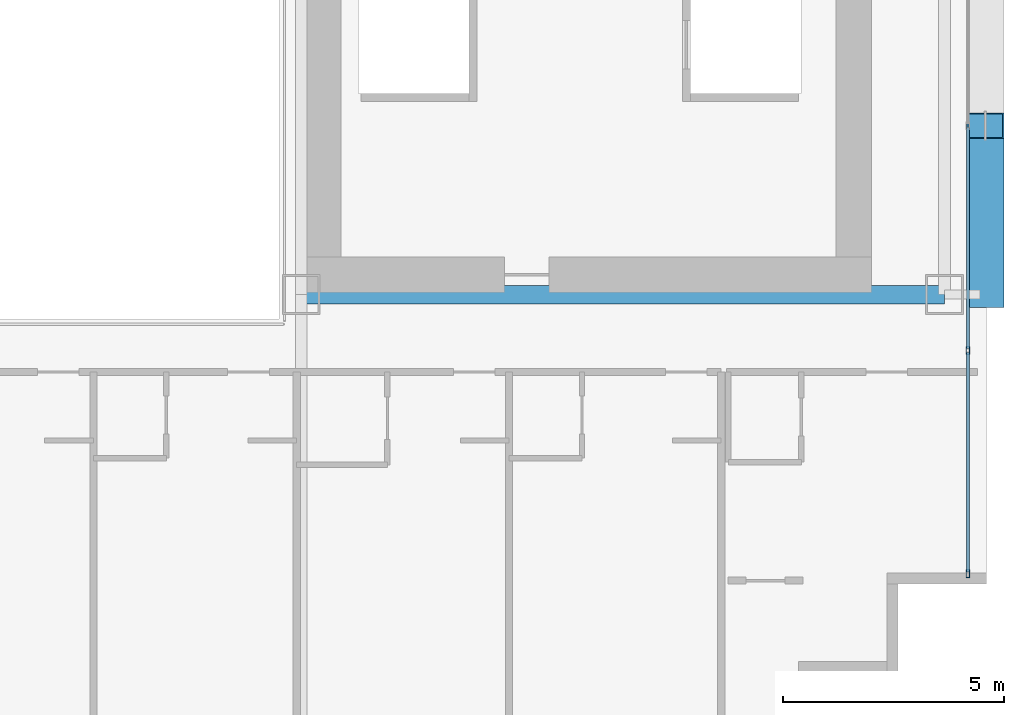
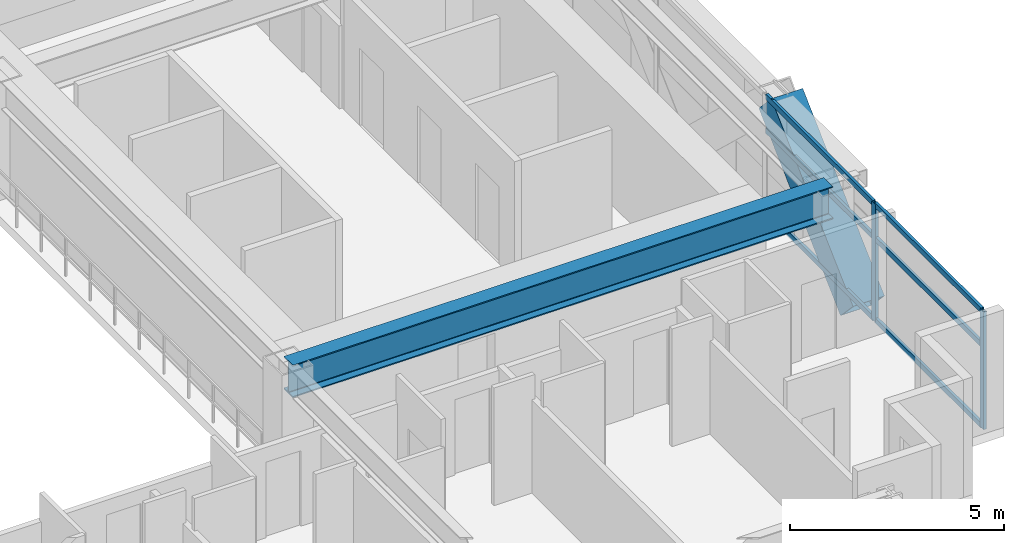
# One storey, part 11 of 36: 9 members, 1 beam, 1 element without a shape of its own.
"""IFC4 building model written with IfcOpenShell, lengths in metres."""

from ifc_helpers import new_model, si_unit, direction, frame, origin, origin_2d, place, context, subcontext, project, spatial, hollow_rectangle, i_section, extrude, source, transform, mapped, material, layer, layer_set, material_profile, profile_set, type_object, element, aggregate, save


model = new_model("IFC4")

# Units and contexts
model_context = context("Model", 3, precision=1e-05, world=origin(), true_north=direction((0.0, 1.0)))
body_context = subcontext(model_context, "Body", "Model", "MODEL_VIEW")
ifc_project = project(units=[si_unit("LENGTHUNIT", "METRE"), si_unit("AREAUNIT", "SQUARE_METRE"), si_unit("VOLUMEUNIT", "CUBIC_METRE"), si_unit("PLANEANGLEUNIT", "RADIAN"), si_unit("MASSUNIT", "GRAM", prefix="KILO")], contexts=[model_context])

# Site, building, storey
site_placement = place(None, origin())
site = spatial("IfcSite", under=ifc_project, at=site_placement, CompositionType="ELEMENT")
building_placement = place(site_placement, origin())
building = spatial("IfcBuilding", under=site, at=building_placement, Name="Ocotamira Hotel", CompositionType="ELEMENT")
storey_placement = place(building_placement, frame((0.0, 0.0, 42.0)))
storey = spatial("IfcBuildingStorey", under=building, at=storey_placement, Name="L09", CompositionType="ELEMENT", Elevation=42.0)

# Beam
ifc_material_1 = material(Name="Steel ASTM A992 Grade 50", Category="steel")
ifc_material_profile_1 = material_profile(ifc_material_1, i_section(OverallWidth=0.41796875, OverallDepth=0.927001953125, WebThickness=0.019287109375, FlangeThickness=0.031982421875, FilletRadius=0.02392578125, at=origin_2d()), Name="W36X231")
ifc_profile_set_1 = profile_set([ifc_material_profile_1], Name="Steel ASTM A992 Grade 50")
beam_type = type_object("IfcBeamType", Name="BM-GIRD-W36X231", PredefinedType="BEAM", material=ifc_profile_set_1)
shared_shape_1 = source(origin(), body_context, "Body", "SweptSolid", [
    extrude(i_section(OverallWidth=0.41796875, OverallDepth=0.927001953125, WebThickness=0.019287109375, FlangeThickness=0.031982421875, FilletRadius=0.02392578125, at=origin_2d()), origin(), (0.0, 0.0, 1.0), 14.550048828125),
])
beam_placement = place(storey_placement, frame((40.5, 14.550048828125, 2.886474609375), z_axis=(1.0, 0.0, 0.0), x_axis=(0.0, 1.0, 0.0)))
element("IfcBeam", 1, at=beam_placement, inside=storey, type_object=beam_type, Name="L09 Girder Y14.55 X40.5-55.05", PredefinedType="BEAM", context=body_context, shape_type="MappedRepresentation", body=[
    mapped(shared_shape_1, transform((0.0, 0.0, 0.0), scale=1.0)),
])

# Member
ifc_material_2 = material(Name="Pale-metal coated steel ASTM A913 Grade 65", Category="steel")
ifc_material_profile_2 = material_profile(ifc_material_2, hollow_rectangle(XDim=0.85009765625, YDim=0.85009765625, WallThickness=0.035888671875, at=origin_2d()), Name="BOX850X850X36")
ifc_profile_set_2 = profile_set([ifc_material_profile_2], Name="Pale-metal coated steel ASTM A913 Grade 65")
member_type_1 = type_object("IfcMemberType", Name="MEM-EXO-BOX850", PredefinedType="BRACE", material=ifc_profile_set_2)
shared_shape_2 = source(origin(), body_context, "Body", "SweptSolid", [
    extrude(hollow_rectangle(XDim=0.85009765625, YDim=0.85009765625, WallThickness=0.035888671875, at=origin_2d()), origin(), (0.0, 0.0, 1.0), 5.24658203125),
])
member_1_placement = place(storey_placement, frame((55.969970703125, 14.550048828125, -0.5), z_axis=(0.0, 0.727442733726, 0.686168397078), x_axis=(-1.0, 0.0, 0.0)))
element("IfcMember", 2, at=member_1_placement, inside=storey, type_object=member_type_1, Name="L09 Exoskeleton Diagrid E0.1", PredefinedType="BRACE", context=body_context, shape_type="MappedRepresentation", body=[
    mapped(shared_shape_2, transform((0.0, 0.0, 0.0), scale=1.0)),
])

# Curtain wall, members
ifc_material_3 = material(Name="Anodised pale-metal aluminium and solar glass", Category="aluminium")
ifc_layer = layer(ifc_material_3, 0.179931640625)
ifc_layer_set = layer_set([ifc_layer], Name="Anodised pale-metal aluminium and solar glass")
curtain_wall_type = type_object("IfcCurtainWallType", Name="CW-SYS2-Z1", PredefinedType="NOTDEFINED", material=ifc_layer_set)
curtain_wall_placement = place(storey_placement, origin())
curtain_wall = element("IfcCurtainWall", 3, at=curtain_wall_placement, inside=storey, type_object=curtain_wall_type, Name="L09 Curtain Wall CW-2 CW-L09-E", PredefinedType="NOTDEFINED")
ifc_material_4 = material(Name="Anodised pale-metal aluminium 6063-T6", Category="aluminium")
ifc_material_profile_3 = material_profile(ifc_material_4, hollow_rectangle(XDim=0.074951171875, YDim=0.14990234375, WallThickness=0.006103515625, at=origin_2d()), Name="HSS150X75X6")
ifc_profile_set_3 = profile_set([ifc_material_profile_3], Name="Anodised pale-metal aluminium 6063-T6")
member_type_2 = type_object("IfcMemberType", Name="CWT-150X75", PredefinedType="USERDEFINED", material=ifc_profile_set_3)
shared_shape_3 = source(origin(), body_context, "Body", "SweptSolid", [
    extrude(hollow_rectangle(XDim=0.074951171875, YDim=0.14990234375, WallThickness=0.006103515625, at=origin_2d()), origin(), (0.0, 0.0, 1.0), 4.965576171875),
])
member_2_placement = place(storey_placement, frame((55.580078125, 8.280029296875, 0.03759765625), z_axis=(0.0, 1.0, 0.0), x_axis=(-1.0, 0.0, 0.0)))
member_2 = element("IfcMember", 4, at=member_2_placement, type_object=member_type_2, Name="CW-2 transom 1.1", ObjectType="TRANSOM", PredefinedType="USERDEFINED", context=body_context, shape_type="MappedRepresentation", body=[
    mapped(shared_shape_3, transform((0.0, 0.0, 0.0), scale=1.0)),
])
member_3_placement = place(storey_placement, frame((55.580078125, 8.280029296875, 2.35009765625), z_axis=(0.0, 1.0, 0.0), x_axis=(-1.0, 0.0, 0.0)))
member_3 = element("IfcMember", 5, at=member_3_placement, type_object=member_type_2, Name="CW-2 transom 1.2", ObjectType="TRANSOM", PredefinedType="USERDEFINED", context=body_context, shape_type="MappedRepresentation", body=[
    mapped(shared_shape_3, transform((0.0, 0.0, 0.0), scale=1.0)),
])
member_4_placement = place(storey_placement, frame((55.580078125, 8.280029296875, 3.3125), z_axis=(0.0, 1.0, 0.0), x_axis=(-1.0, 0.0, 0.0)))
member_4 = element("IfcMember", 6, at=member_4_placement, type_object=member_type_2, Name="CW-2 transom 1.3", ObjectType="TRANSOM", PredefinedType="USERDEFINED", context=body_context, shape_type="MappedRepresentation", body=[
    mapped(shared_shape_3, transform((0.0, 0.0, 0.0), scale=1.0)),
])
shared_shape_4 = source(origin(), body_context, "Body", "SweptSolid", [
    extrude(hollow_rectangle(XDim=0.074951171875, YDim=0.14990234375, WallThickness=0.006103515625, at=origin_2d()), origin(), (0.0, 0.0, 1.0), 5.005859375),
])
member_5_placement = place(storey_placement, frame((55.580078125, 13.32568359375, 0.03759765625), z_axis=(0.0, 1.0, 0.0), x_axis=(-1.0, 0.0, 0.0)))
member_5 = element("IfcMember", 7, at=member_5_placement, type_object=member_type_2, Name="CW-2 transom 2.1", ObjectType="TRANSOM", PredefinedType="USERDEFINED", context=body_context, shape_type="MappedRepresentation", body=[
    mapped(shared_shape_4, transform((0.0, 0.0, 0.0), scale=1.0)),
])
member_6_placement = place(storey_placement, frame((55.580078125, 13.32568359375, 2.35009765625), z_axis=(0.0, 1.0, 0.0), x_axis=(-1.0, 0.0, 0.0)))
member_6 = element("IfcMember", 8, at=member_6_placement, type_object=member_type_2, Name="CW-2 transom 2.2", ObjectType="TRANSOM", PredefinedType="USERDEFINED", context=body_context, shape_type="MappedRepresentation", body=[
    mapped(shared_shape_4, transform((0.0, 0.0, 0.0), scale=1.0)),
])
member_7_placement = place(storey_placement, frame((55.580078125, 13.32568359375, 3.3125), z_axis=(0.0, 1.0, 0.0), x_axis=(-1.0, 0.0, 0.0)))
member_7 = element("IfcMember", 9, at=member_7_placement, type_object=member_type_2, Name="CW-2 transom 2.3", ObjectType="TRANSOM", PredefinedType="USERDEFINED", context=body_context, shape_type="MappedRepresentation", body=[
    mapped(shared_shape_4, transform((0.0, 0.0, 0.0), scale=1.0)),
])
ifc_material_profile_4 = material_profile(ifc_material_4, hollow_rectangle(XDim=0.080078125, YDim=0.179931640625, WallThickness=0.006103515625, at=origin_2d()), Name="HSS180X80X6")
ifc_profile_set_4 = profile_set([ifc_material_profile_4], Name="Anodised pale-metal aluminium 6063-T6")
member_type_3 = type_object("IfcMemberType", Name="CWM-180X75", PredefinedType="MULLION", material=ifc_profile_set_4)
shared_shape_5 = source(origin(), body_context, "Body", "SweptSolid", [
    extrude(hollow_rectangle(XDim=0.080078125, YDim=0.179931640625, WallThickness=0.006103515625, at=origin_2d()), origin(), (0.0, 0.0, 1.0), 3.35009765625),
])
member_8_placement = place(storey_placement, frame((55.580078125, 8.239990234375, 0.0), z_axis=(0.0, 0.0, 1.0), x_axis=(-1.0, 0.0, 0.0)))
member_8 = element("IfcMember", 10, at=member_8_placement, type_object=member_type_3, Name="CW-2 mullion 1", PredefinedType="MULLION", context=body_context, shape_type="MappedRepresentation", body=[
    mapped(shared_shape_5, transform((0.0, 0.0, 0.0), scale=1.0)),
])
member_9_placement = place(storey_placement, frame((55.580078125, 13.28564453125, 0.0), z_axis=(0.0, 0.0, 1.0), x_axis=(-1.0, 0.0, 0.0)))
member_9 = element("IfcMember", 11, at=member_9_placement, type_object=member_type_3, Name="CW-2 mullion 2", PredefinedType="MULLION", context=body_context, shape_type="MappedRepresentation", body=[
    mapped(shared_shape_5, transform((0.0, 0.0, 0.0), scale=1.0)),
])
aggregate(curtain_wall, [member_8, member_9, member_2, member_3, member_4, member_5, member_6, member_7])

save(model, "model.ifc")
